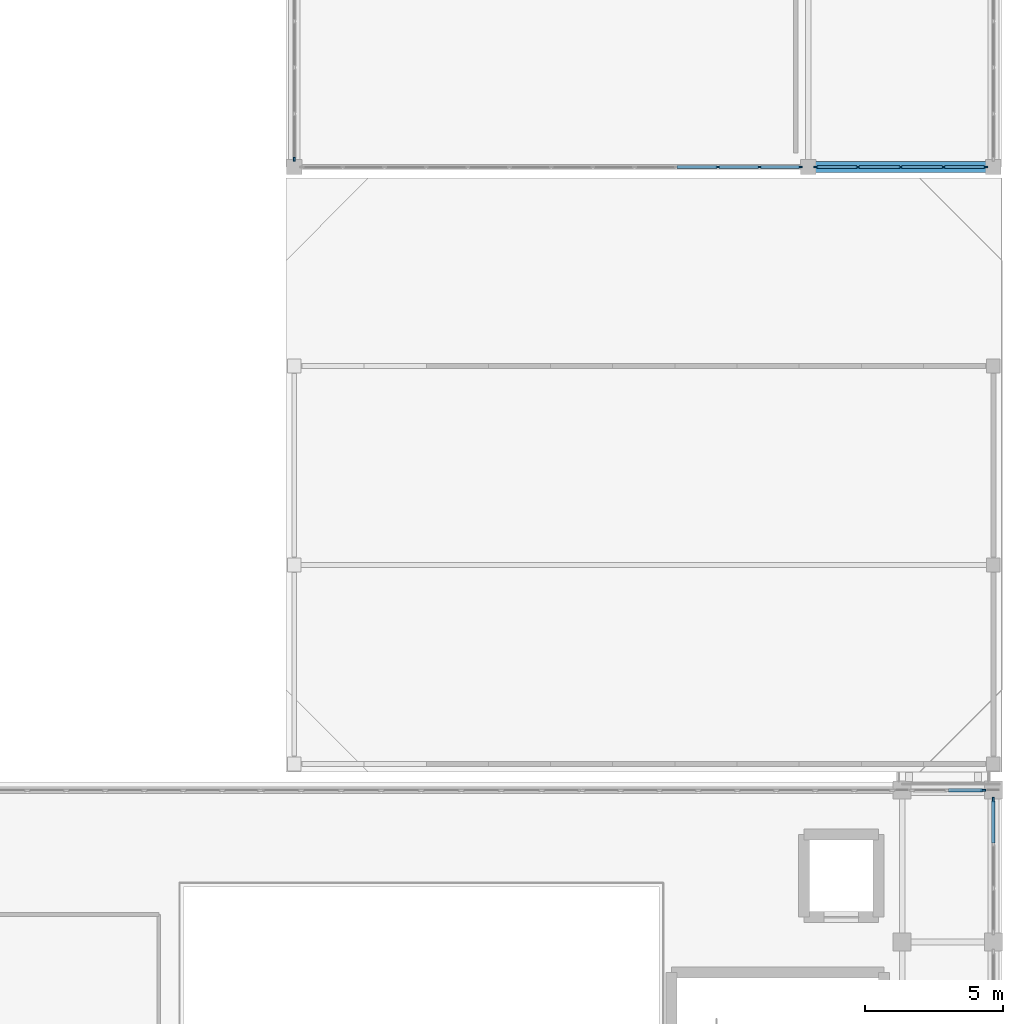
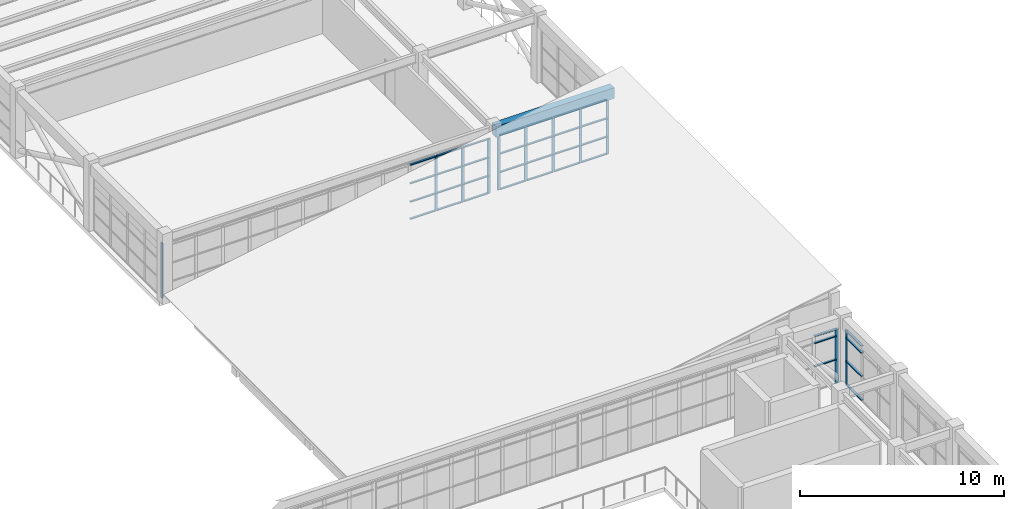
# One storey, part 28 of 66: 46 members, 1 beam, 5 elements without a shape of their own.
"""IFC4 building model written with IfcOpenShell, lengths in metres."""

import ifcopenshell
import ifcopenshell.guid

model = None  # the IFC model being written
_history = None  # IfcOwnerHistory: only IFC2X3 demands one
_inside = {}  # id of a spatial element -> (the spatial element, [elements in it])
_under = {}  # id of a project, library or spatial element -> (it, [spatial elements below it])
_declared = {}  # id of a project -> (the project, [libraries it declares])
_typed = {}  # id of a type object -> (the type object, [elements of that type])
_made_of = {}  # id of a material, layer set ... -> (it, [elements and type objects made of it])


def new_model(schema):
    """Start an empty IFC model of exactly this schema.

    Asked for "IFC4X3", IfcOpenShell would pick the latest addendum, in which some entities
    have other attributes; the version numbers below select the first issue.
    IFC2X3 requires an IfcOwnerHistory on every rooted entity: one is made here for all.
    """
    global model, _history
    if schema == "IFC4X3":
        model = ifcopenshell.file(schema_version=(4, 3, 0, 0))
    else:
        model = ifcopenshell.file(schema=schema)
    _inside.clear()
    _under.clear()
    _declared.clear()
    _typed.clear()
    _made_of.clear()
    _history = None
    if model.schema == "IFC2X3":
        org = make("IfcOrganization", Name="unknown")
        user = make(
            "IfcPersonAndOrganization",
            ThePerson=make("IfcPerson", FamilyName="unknown"),
            TheOrganization=org,
        )
        app = make(
            "IfcApplication",
            ApplicationDeveloper=org,
            Version="unknown",
            ApplicationFullName="unknown",
            ApplicationIdentifier="unknown",
        )
        _history = make(
            "IfcOwnerHistory",
            OwningUser=user,
            OwningApplication=app,
            ChangeAction="ADDED",
            CreationDate=0,
        )
    return model


def make(cls, **values):
    """One entity of the class cls with the attributes given. An attribute that is None is left unset."""
    return model.create_entity(
        cls, **{name: value for name, value in values.items() if value is not None}
    )


def rooted(cls, **values):
    """An entity with a GlobalId (a new one), such as an element, a storey or a relation."""
    return make(cls, GlobalId=ifcopenshell.guid.new(), OwnerHistory=_history, **values)


def si_unit(unit_type, name, prefix=None):
    """IfcSIUnit, for example si_unit("LENGTHUNIT", "METRE", prefix="MILLI")."""
    return make("IfcSIUnit", UnitType=unit_type, Prefix=prefix, Name=name)


def assignment(units):
    """IfcUnitAssignment: the units of a project."""
    return None if units is None else make("IfcUnitAssignment", Units=units)


def point(xyz):
    """IfcCartesianPoint."""
    return None if xyz is None else make("IfcCartesianPoint", Coordinates=xyz)


def direction(xyz):
    """IfcDirection."""
    return None if xyz is None else make("IfcDirection", DirectionRatios=xyz)


def frame(location, z_axis=None, x_axis=None):
    """IfcAxis2Placement3D, a coordinate frame: its origin and axes. An axis left out is left unset."""
    return make(
        "IfcAxis2Placement3D",
        Location=point(location),
        Axis=direction(z_axis),
        RefDirection=direction(x_axis),
    )


def frame_2d(location, x_axis=None):
    """IfcAxis2Placement2D, a coordinate frame in the plane: its origin and x axis."""
    return make(
        "IfcAxis2Placement2D", Location=point(location), RefDirection=direction(x_axis)
    )


def origin():
    """The frame at (0, 0, 0) with its axes left unset."""
    return frame((0.0, 0.0, 0.0))


def origin_2d():
    """The frame at (0, 0) in the plane with its x axis left unset."""
    return frame_2d((0.0, 0.0))


def place(relative_to, where):
    """IfcLocalPlacement: puts the frame where relative to a parent placement (None: the world)."""
    return make(
        "IfcLocalPlacement", PlacementRelTo=relative_to, RelativePlacement=where
    )


def context(
    kind, dimensions, precision=None, world=None, true_north=None, identifier=None
):
    """IfcGeometricRepresentationContext, for example the 3D "Model" context."""
    return make(
        "IfcGeometricRepresentationContext",
        ContextIdentifier=identifier,
        ContextType=kind,
        CoordinateSpaceDimension=dimensions,
        Precision=precision,
        WorldCoordinateSystem=world,
        TrueNorth=true_north,
    )


def subcontext(parent, identifier, kind, view, scale=None):
    """IfcGeometricRepresentationSubContext, for example "Body" below "Model"."""
    return make(
        "IfcGeometricRepresentationSubContext",
        ContextIdentifier=identifier,
        ContextType=kind,
        ParentContext=parent,
        TargetScale=scale,
        TargetView=view,
    )


def project(units=None, contexts=None):
    """IfcProject with its units and contexts."""
    return rooted(
        "IfcProject",
        Name="project",
        RepresentationContexts=contexts,
        UnitsInContext=assignment(units),
    )


def spatial(cls, under=None, at=None, **own):
    """A site, building, storey or space (cls), placed at a placement, below another one or the project."""
    s = rooted(cls, ObjectPlacement=at, **own)
    if under is not None:
        _under.setdefault(under.id(), (under, []))[1].append(s)
    return s


def profile(cls, at=None, kind="AREA", **sizes):
    """A parametric profile (cls). Its sizes go by their IFC names, for example OverallWidth=200.0."""
    return make(cls, ProfileType=kind, Position=at, **sizes)


def rectangle(**sizes):
    """IfcRectangleProfileDef."""
    return profile("IfcRectangleProfileDef", **sizes)


def extrude(swept, where, along, depth):
    """IfcExtrudedAreaSolid: the profile swept, set in the frame where, extruded along a direction by depth."""
    return make(
        "IfcExtrudedAreaSolid",
        SweptArea=swept,
        Position=where,
        ExtrudedDirection=direction(along),
        Depth=depth,
    )


def shape(context_of_items, identifier, shape_type, items):
    """IfcShapeRepresentation: the items that make up one representation, for example the "Body"."""
    return make(
        "IfcShapeRepresentation",
        ContextOfItems=context_of_items,
        RepresentationIdentifier=identifier,
        RepresentationType=shape_type,
        Items=items,
    )


def material(Name=None, Category=None):
    """IfcMaterial."""
    return make("IfcMaterial", Name=Name, Category=Category)


def layer(
    of_material, thickness, ventilated=None, Name=None, Category=None, Priority=None
):
    """IfcMaterialLayer: one layer of a wall or slab, of a material (None: an air gap)."""
    return make(
        "IfcMaterialLayer",
        Material=of_material,
        LayerThickness=thickness,
        IsVentilated=ventilated,
        Name=Name,
        Category=Category,
        Priority=Priority,
    )


def layer_set(layers, Name=None):
    """IfcMaterialLayerSet."""
    return make("IfcMaterialLayerSet", MaterialLayers=layers, LayerSetName=Name)


def material_profile(
    of_material, cross_section, Name=None, Category=None, Priority=None
):
    """IfcMaterialProfile: a cross section and its material."""
    return make(
        "IfcMaterialProfile",
        Name=Name,
        Material=of_material,
        Profile=cross_section,
        Priority=Priority,
        Category=Category,
    )


def profile_set(profiles, Name=None, composite=None):
    """IfcMaterialProfileSet."""
    return make(
        "IfcMaterialProfileSet",
        Name=Name,
        MaterialProfiles=profiles,
        CompositeProfile=composite,
    )


def made_of(thing, what):
    """Note that an element or type object is made of a material, layer set ...; save() writes the relation."""
    if what is not None:
        _made_of.setdefault(what.id(), (what, []))[1].append(thing)
    return thing


def type_object(cls, material=None, **own):
    """A type object (cls), such as IfcWallType, which elements share."""
    return made_of(rooted(cls, **own), material)


def element(
    cls,
    number,
    at=None,
    inside=None,
    cuts=None,
    type_object=None,
    material=None,
    context=None,
    identifier="Body",
    shape_type=None,
    held_by="IfcProductDefinitionShape",
    body=None,
    shapes=None,
    **own,
):
    """One element of the class cls, such as IfcWall. Its Tag is "e" and its number.

    at: its placement. inside: the storey or other place that contains it. cuts: it is an
    opening in that element (IfcRelVoidsElement). A single representation is given by context,
    identifier, shape_type and body (its items); several are given by shapes. held_by: the class
    of the entity that holds the representations. save() writes the other relations.
    """
    e = rooted(cls, Tag="e%d" % number, ObjectPlacement=at, **own)
    if body is not None:
        shapes = [shape(context, identifier, shape_type, body)]
    if shapes is not None:
        e.Representation = make(held_by, Representations=shapes)
    if inside is not None:
        _inside.setdefault(inside.id(), (inside, []))[1].append(e)
    if cuts is not None:
        rooted(
            "IfcRelVoidsElement", RelatingBuildingElement=cuts, RelatedOpeningElement=e
        )
    if type_object is not None:
        _typed.setdefault(type_object.id(), (type_object, []))[1].append(e)
    return made_of(e, material)


def aggregate(whole, parts):
    """IfcRelAggregates: a whole, such as a stair, and the parts it consists of."""
    return rooted("IfcRelAggregates", RelatingObject=whole, RelatedObjects=parts)


def save(model, path):
    """Write the relations noted so far, then the file.

    IfcRelAggregates (storeys below a building ...), IfcRelContainedInSpatialStructure (elements
    in a storey), IfcRelDefinesByType, IfcRelAssociatesMaterial and IfcRelDeclares: one each for
    every whole, place, type object, material and project.
    """
    for whole, parts in _under.values():
        aggregate(whole, parts)
    for where, things in _inside.values():
        rooted(
            "IfcRelContainedInSpatialStructure",
            RelatedElements=things,
            RelatingStructure=where,
        )
    for kind, things in _typed.values():
        rooted("IfcRelDefinesByType", RelatedObjects=things, RelatingType=kind)
    for what, things in _made_of.values():
        rooted("IfcRelAssociatesMaterial", RelatedObjects=things, RelatingMaterial=what)
    for by, libraries in _declared.values():
        rooted("IfcRelDeclares", RelatingContext=by, RelatedDefinitions=libraries)
    model.write(path)


model = new_model("IFC4")

# Units and contexts
model_context = context("Model", 3, precision=1e-05, world=origin(), true_north=direction((0.0, 1.0)))
body_context = subcontext(model_context, "Body", "Model", "MODEL_VIEW")
ifc_project = project(units=[si_unit("LENGTHUNIT", "METRE"), si_unit("AREAUNIT", "SQUARE_METRE"), si_unit("VOLUMEUNIT", "CUBIC_METRE"), si_unit("PLANEANGLEUNIT", "RADIAN"), si_unit("MASSUNIT", "GRAM", prefix="KILO")], contexts=[model_context])

# Site, building, storey
site_placement = place(None, origin())
site = spatial("IfcSite", under=ifc_project, at=site_placement, CompositionType="ELEMENT")
building_placement = place(site_placement, origin())
building = spatial("IfcBuilding", under=site, at=building_placement, Name="Candilejo Ridge Gondola Terminal", CompositionType="ELEMENT")
storey_placement = place(building_placement, frame((0.0, 0.0, 14.39990234375)))
storey = spatial("IfcBuildingStorey", under=building, at=storey_placement, Name="L03", CompositionType="ELEMENT", Elevation=14.39990234375)

# Curtain wall, member
ifc_material_1 = material(Name="Anodised aluminium AA 6063-T6", Category="aluminium")
ifc_layer_1 = layer(ifc_material_1, 0.169921875)
ifc_layer_set_1 = layer_set([ifc_layer_1], Name="ARC-CW-TOWER-3000-670X329")
curtain_wall_type_1 = type_object("IfcCurtainWallType", Name="ARC-CW-TOWER-3000-670X329", PredefinedType="NOTDEFINED", material=ifc_layer_set_1)
curtain_wall_1_placement = place(storey_placement, origin())
curtain_wall_1 = element("IfcCurtainWall", 1, at=curtain_wall_1_placement, inside=storey, type_object=curtain_wall_type_1, Name="Curtain wall V5 L03-196", PredefinedType="NOTDEFINED")
ifc_material_2 = material(Name="Anodised aluminium AA 6063-T6", Category="aluminium")
ifc_material_profile_1 = material_profile(ifc_material_2, rectangle(XDim=0.06494140625, YDim=0.14990234375, at=origin_2d()))
ifc_profile_set_1 = profile_set([ifc_material_profile_1], Name="Anodised aluminium AA 6063-T6")
member_type_1 = type_object("IfcMemberType", Name="ARC-CW-MULLION-150", PredefinedType="MULLION", material=ifc_profile_set_1)
member_1_placement = place(storey_placement, frame((150.0, 70.532470703125, 0.0), z_axis=(0.0, 0.0, 1.0), x_axis=(-1.0, 0.0, 0.0)))
member_1 = element("IfcMember", 2, at=member_1_placement, type_object=member_type_1, Name="CW-67X32 mullion 1", PredefinedType="MULLION", context=body_context, shape_type="SweptSolid", body=[
    extrude(rectangle(XDim=0.06494140625, YDim=0.14990234375, at=origin_2d()), origin(), (0.0, 0.0, 1.0), 3.2900390625),
])
aggregate(curtain_wall_1, [member_1])

# Curtain wall, members
ifc_material_3 = material(Name="Anodised aluminium AA 6063-T6", Category="aluminium")
ifc_layer_2 = layer(ifc_material_3, 0.169921875)
ifc_layer_set_2 = layer_set([ifc_layer_2], Name="ARC-CW-TOWER-3000-1810X329")
curtain_wall_type_2 = type_object("IfcCurtainWallType", Name="ARC-CW-TOWER-3000-1810X329", PredefinedType="NOTDEFINED", material=ifc_layer_set_2)
curtain_wall_2_placement = place(storey_placement, origin())
curtain_wall_2 = element("IfcCurtainWall", 3, at=curtain_wall_2_placement, inside=storey, type_object=curtain_wall_type_2, Name="Curtain wall V5 L03-208", PredefinedType="NOTDEFINED")
member_2_placement = place(storey_placement, frame((165.333251953125, 70.25, 0.0), z_axis=(0.0, 0.0, 1.0), x_axis=(0.0, 1.0, 0.0)))
member_2 = element("IfcMember", 4, at=member_2_placement, type_object=member_type_1, Name="CW-181X32 mullion 11", PredefinedType="MULLION", context=body_context, shape_type="SweptSolid", body=[
    extrude(rectangle(XDim=0.06494140625, YDim=0.14990234375, at=origin_2d()), origin(), (0.0, 0.0, 1.0), 3.2900390625),
])
member_3_placement = place(storey_placement, frame((166.841552734375, 70.25, 0.0), z_axis=(0.0, 0.0, 1.0), x_axis=(0.0, 1.0, 0.0)))
member_3 = element("IfcMember", 5, at=member_3_placement, type_object=member_type_1, Name="CW-181X32 mullion 12", PredefinedType="MULLION", context=body_context, shape_type="SweptSolid", body=[
    extrude(rectangle(XDim=0.06494140625, YDim=0.14990234375, at=origin_2d()), origin(), (0.0, 0.0, 1.0), 3.2900390625),
])
member_4_placement = place(storey_placement, frame((168.3173828125, 70.25, 0.0), z_axis=(0.0, 0.0, 1.0), x_axis=(0.0, 1.0, 0.0)))
member_4 = element("IfcMember", 6, at=member_4_placement, type_object=member_type_1, Name="CW-181X32 mullion 13", PredefinedType="MULLION", context=body_context, shape_type="SweptSolid", body=[
    extrude(rectangle(XDim=0.06494140625, YDim=0.14990234375, at=origin_2d()), origin(), (0.0, 0.0, 1.0), 3.2900390625),
])

ifc_material_4 = material(Name="Anodised aluminium AA 6063-T6", Category="aluminium")
ifc_layer_3 = layer(ifc_material_4, 0.169921875)
ifc_layer_set_3 = layer_set([ifc_layer_3], Name="ARC-CW-TOWER-3000-620X329")
curtain_wall_type_3 = type_object("IfcCurtainWallType", Name="ARC-CW-TOWER-3000-620X329", PredefinedType="NOTDEFINED", material=ifc_layer_set_3)
curtain_wall_3_placement = place(storey_placement, origin())
curtain_wall_3 = element("IfcCurtainWall", 7, at=curtain_wall_3_placement, inside=storey, type_object=curtain_wall_type_3, Name="Curtain wall V5 L03-210", PredefinedType="NOTDEFINED")
member_5_placement = place(storey_placement, frame((168.882568359375, 70.25, 0.0), z_axis=(0.0, 0.0, 1.0), x_axis=(0.0, 1.0, 0.0)))
member_5 = element("IfcMember", 8, at=member_5_placement, type_object=member_type_1, Name="CW-62X32 mullion 1", PredefinedType="MULLION", context=body_context, shape_type="SweptSolid", body=[
    extrude(rectangle(XDim=0.06494140625, YDim=0.14990234375, at=origin_2d()), origin(), (0.0, 0.0, 1.0), 3.2900390625),
])
member_6_placement = place(storey_placement, frame((170.39990234375, 70.25, 0.0), z_axis=(0.0, 0.0, 1.0), x_axis=(0.0, 1.0, 0.0)))
member_6 = element("IfcMember", 9, at=member_6_placement, type_object=member_type_1, Name="CW-62X32 mullion 2", PredefinedType="MULLION", context=body_context, shape_type="SweptSolid", body=[
    extrude(rectangle(XDim=0.06494140625, YDim=0.14990234375, at=origin_2d()), origin(), (0.0, 0.0, 1.0), 3.2900390625),
])
member_7_placement = place(storey_placement, frame((171.949951171875, 70.25, 0.0), z_axis=(0.0, 0.0, 1.0), x_axis=(0.0, 1.0, 0.0)))
member_7 = element("IfcMember", 10, at=member_7_placement, type_object=member_type_1, Name="CW-62X32 mullion 3", PredefinedType="MULLION", context=body_context, shape_type="SweptSolid", body=[
    extrude(rectangle(XDim=0.06494140625, YDim=0.14990234375, at=origin_2d()), origin(), (0.0, 0.0, 1.0), 3.2900390625),
])
member_8_placement = place(storey_placement, frame((173.5, 70.25, 0.0), z_axis=(0.0, 0.0, 1.0), x_axis=(0.0, 1.0, 0.0)))
member_8 = element("IfcMember", 11, at=member_8_placement, type_object=member_type_1, Name="CW-62X32 mullion 4", PredefinedType="MULLION", context=body_context, shape_type="SweptSolid", body=[
    extrude(rectangle(XDim=0.06494140625, YDim=0.14990234375, at=origin_2d()), origin(), (0.0, 0.0, 1.0), 3.2900390625),
])
member_9_placement = place(storey_placement, frame((175.017578125, 70.25, 0.0), z_axis=(0.0, 0.0, 1.0), x_axis=(0.0, 1.0, 0.0)))
member_9 = element("IfcMember", 12, at=member_9_placement, type_object=member_type_1, Name="CW-62X32 mullion 5", PredefinedType="MULLION", context=body_context, shape_type="SweptSolid", body=[
    extrude(rectangle(XDim=0.06494140625, YDim=0.14990234375, at=origin_2d()), origin(), (0.0, 0.0, 1.0), 3.2900390625),
])

# Curtain wall, member
ifc_material_5 = material(Name="Anodised aluminium AA 6063-T6", Category="aluminium")
ifc_layer_4 = layer(ifc_material_5, 0.169921875)
ifc_layer_set_4 = layer_set([ifc_layer_4], Name="ARC-CW-HALL-3800-485X329")
curtain_wall_type_4 = type_object("IfcCurtainWallType", Name="ARC-CW-HALL-3800-485X329", PredefinedType="NOTDEFINED", material=ifc_layer_set_4)
curtain_wall_4_placement = place(storey_placement, origin())
curtain_wall_4 = element("IfcCurtainWall", 13, at=curtain_wall_4_placement, inside=storey, type_object=curtain_wall_type_4, Name="Curtain wall V4 L03-163", PredefinedType="NOTDEFINED")
ifc_material_6 = material(Name="Anodised aluminium AA 6063-T6", Category="aluminium")
ifc_material_profile_2 = material_profile(ifc_material_6, rectangle(XDim=0.06494140625, YDim=0.179931640625, at=origin_2d()))
ifc_profile_set_2 = profile_set([ifc_material_profile_2], Name="Anodised aluminium AA 6063-T6")
member_type_2 = type_object("IfcMemberType", Name="ARC-CW-MULLION-180", PredefinedType="MULLION", material=ifc_profile_set_2)
member_10_placement = place(storey_placement, frame((175.300048828125, 47.342529296875, 0.0), z_axis=(0.0, 0.0, 1.0), x_axis=(-1.0, 0.0, 0.0)))
member_10 = element("IfcMember", 14, at=member_10_placement, type_object=member_type_2, Name="CW-48X32 mullion 4", PredefinedType="MULLION", context=body_context, shape_type="SweptSolid", body=[
    extrude(rectangle(XDim=0.06494140625, YDim=0.179931640625, at=origin_2d()), origin(), (0.0, 0.0, 1.0), 3.2900390625),
])

ifc_material_7 = material(Name="Anodised aluminium AA 6063-T6", Category="aluminium")
ifc_layer_5 = layer(ifc_material_7, 0.169921875)
ifc_layer_set_5 = layer_set([ifc_layer_5], Name="ARC-CW-HALL-3800-265X329")
curtain_wall_type_5 = type_object("IfcCurtainWallType", Name="ARC-CW-HALL-3800-265X329", PredefinedType="NOTDEFINED", material=ifc_layer_set_5)
curtain_wall_5_placement = place(storey_placement, origin())
curtain_wall_5 = element("IfcCurtainWall", 15, at=curtain_wall_5_placement, inside=storey, type_object=curtain_wall_type_5, Name="Curtain wall V4 L03-170", PredefinedType="NOTDEFINED")
member_11_placement = place(storey_placement, frame((174.9423828125, 47.699951171875, 0.0), z_axis=(0.0, 0.0, 1.0), x_axis=(0.0, 1.0, 0.0)))
member_11 = element("IfcMember", 16, at=member_11_placement, type_object=member_type_2, Name="CW-26X32 mullion 3", PredefinedType="MULLION", context=body_context, shape_type="SweptSolid", body=[
    extrude(rectangle(XDim=0.06494140625, YDim=0.179931640625, at=origin_2d()), origin(), (0.0, 0.0, 1.0), 3.2900390625),
])

# Member
ifc_material_8 = material(Name="Anodised aluminium AA 6063-T6", Category="aluminium")
ifc_material_profile_3 = material_profile(ifc_material_8, rectangle(XDim=0.110107421875, YDim=0.06005859375, at=origin_2d()))
ifc_profile_set_3 = profile_set([ifc_material_profile_3], Name="Anodised aluminium AA 6063-T6")
member_type_3 = type_object("IfcMemberType", Name="ARC-CW-TRANSOM-110", PredefinedType="USERDEFINED", material=ifc_profile_set_3)
member_12_placement = place(storey_placement, frame((163.857421875, 70.25, 0.030029296875), z_axis=(1.0, 0.0, 0.0), x_axis=(0.0, 1.0, 0.0)))
member_12 = element("IfcMember", 17, at=member_12_placement, type_object=member_type_3, Name="CW-181X32 transom 10.1", ObjectType="TRANSOM", PredefinedType="USERDEFINED", context=body_context, shape_type="SweptSolid", body=[
    extrude(rectangle(XDim=0.110107421875, YDim=0.06005859375, at=origin_2d()), origin(), (0.0, 0.0, 1.0), 1.443359375),
])

member_13_placement = place(storey_placement, frame((163.857421875, 70.25, 1.050048828125), z_axis=(1.0, 0.0, 0.0), x_axis=(0.0, 1.0, 0.0)))
member_13 = element("IfcMember", 18, at=member_13_placement, type_object=member_type_3, Name="CW-181X32 transom 10.2", ObjectType="TRANSOM", PredefinedType="USERDEFINED", context=body_context, shape_type="SweptSolid", body=[
    extrude(rectangle(XDim=0.110107421875, YDim=0.06005859375, at=origin_2d()), origin(), (0.0, 0.0, 1.0), 1.443359375),
])

member_14_placement = place(storey_placement, frame((163.857421875, 70.25, 2.150146484375), z_axis=(1.0, 0.0, 0.0), x_axis=(0.0, 1.0, 0.0)))
member_14 = element("IfcMember", 19, at=member_14_placement, type_object=member_type_3, Name="CW-181X32 transom 10.3", ObjectType="TRANSOM", PredefinedType="USERDEFINED", context=body_context, shape_type="SweptSolid", body=[
    extrude(rectangle(XDim=0.110107421875, YDim=0.06005859375, at=origin_2d()), origin(), (0.0, 0.0, 1.0), 1.443359375),
])

member_15_placement = place(storey_placement, frame((163.857421875, 70.25, 3.260009765625), z_axis=(1.0, 0.0, 0.0), x_axis=(0.0, 1.0, 0.0)))
member_15 = element("IfcMember", 20, at=member_15_placement, type_object=member_type_3, Name="CW-181X32 transom 10.4", ObjectType="TRANSOM", PredefinedType="USERDEFINED", context=body_context, shape_type="SweptSolid", body=[
    extrude(rectangle(XDim=0.110107421875, YDim=0.06005859375, at=origin_2d()), origin(), (0.0, 0.0, 1.0), 1.443359375),
])

member_16_placement = place(storey_placement, frame((165.36572265625, 70.25, 0.030029296875), z_axis=(1.0, 0.0, 0.0), x_axis=(0.0, 1.0, 0.0)))
member_16 = element("IfcMember", 21, at=member_16_placement, type_object=member_type_3, Name="CW-181X32 transom 11.1", ObjectType="TRANSOM", PredefinedType="USERDEFINED", context=body_context, shape_type="SweptSolid", body=[
    extrude(rectangle(XDim=0.110107421875, YDim=0.06005859375, at=origin_2d()), origin(), (0.0, 0.0, 1.0), 1.443359375),
])

member_17_placement = place(storey_placement, frame((165.36572265625, 70.25, 1.050048828125), z_axis=(1.0, 0.0, 0.0), x_axis=(0.0, 1.0, 0.0)))
member_17 = element("IfcMember", 22, at=member_17_placement, type_object=member_type_3, Name="CW-181X32 transom 11.2", ObjectType="TRANSOM", PredefinedType="USERDEFINED", context=body_context, shape_type="SweptSolid", body=[
    extrude(rectangle(XDim=0.110107421875, YDim=0.06005859375, at=origin_2d()), origin(), (0.0, 0.0, 1.0), 1.443359375),
])

member_18_placement = place(storey_placement, frame((165.36572265625, 70.25, 2.150146484375), z_axis=(1.0, 0.0, 0.0), x_axis=(0.0, 1.0, 0.0)))
member_18 = element("IfcMember", 23, at=member_18_placement, type_object=member_type_3, Name="CW-181X32 transom 11.3", ObjectType="TRANSOM", PredefinedType="USERDEFINED", context=body_context, shape_type="SweptSolid", body=[
    extrude(rectangle(XDim=0.110107421875, YDim=0.06005859375, at=origin_2d()), origin(), (0.0, 0.0, 1.0), 1.443359375),
])

member_19_placement = place(storey_placement, frame((165.36572265625, 70.25, 3.260009765625), z_axis=(1.0, 0.0, 0.0), x_axis=(0.0, 1.0, 0.0)))
member_19 = element("IfcMember", 24, at=member_19_placement, type_object=member_type_3, Name="CW-181X32 transom 11.4", ObjectType="TRANSOM", PredefinedType="USERDEFINED", context=body_context, shape_type="SweptSolid", body=[
    extrude(rectangle(XDim=0.110107421875, YDim=0.06005859375, at=origin_2d()), origin(), (0.0, 0.0, 1.0), 1.443359375),
])

member_20_placement = place(storey_placement, frame((166.874267578125, 70.25, 0.030029296875), z_axis=(1.0, 0.0, 0.0), x_axis=(0.0, 1.0, 0.0)))
member_20 = element("IfcMember", 25, at=member_20_placement, type_object=member_type_3, Name="CW-181X32 transom 12.1", ObjectType="TRANSOM", PredefinedType="USERDEFINED", context=body_context, shape_type="SweptSolid", body=[
    extrude(rectangle(XDim=0.110107421875, YDim=0.06005859375, at=origin_2d()), origin(), (0.0, 0.0, 1.0), 1.41064453125),
])

member_21_placement = place(storey_placement, frame((166.874267578125, 70.25, 1.050048828125), z_axis=(1.0, 0.0, 0.0), x_axis=(0.0, 1.0, 0.0)))
member_21 = element("IfcMember", 26, at=member_21_placement, type_object=member_type_3, Name="CW-181X32 transom 12.2", ObjectType="TRANSOM", PredefinedType="USERDEFINED", context=body_context, shape_type="SweptSolid", body=[
    extrude(rectangle(XDim=0.110107421875, YDim=0.06005859375, at=origin_2d()), origin(), (0.0, 0.0, 1.0), 1.41064453125),
])

member_22_placement = place(storey_placement, frame((166.874267578125, 70.25, 2.150146484375), z_axis=(1.0, 0.0, 0.0), x_axis=(0.0, 1.0, 0.0)))
member_22 = element("IfcMember", 27, at=member_22_placement, type_object=member_type_3, Name="CW-181X32 transom 12.3", ObjectType="TRANSOM", PredefinedType="USERDEFINED", context=body_context, shape_type="SweptSolid", body=[
    extrude(rectangle(XDim=0.110107421875, YDim=0.06005859375, at=origin_2d()), origin(), (0.0, 0.0, 1.0), 1.41064453125),
])

member_23_placement = place(storey_placement, frame((166.874267578125, 70.25, 3.260009765625), z_axis=(1.0, 0.0, 0.0), x_axis=(0.0, 1.0, 0.0)))
member_23 = element("IfcMember", 28, at=member_23_placement, type_object=member_type_3, Name="CW-181X32 transom 12.4", ObjectType="TRANSOM", PredefinedType="USERDEFINED", context=body_context, shape_type="SweptSolid", body=[
    extrude(rectangle(XDim=0.110107421875, YDim=0.06005859375, at=origin_2d()), origin(), (0.0, 0.0, 1.0), 1.41064453125),
])

aggregate(curtain_wall_2, [member_2, member_3, member_4, member_12, member_13, member_14, member_15, member_16, member_17, member_18, member_19, member_20, member_21, member_22, member_23])

member_24_placement = place(storey_placement, frame((168.9150390625, 70.25, 0.030029296875), z_axis=(1.0, 0.0, 0.0), x_axis=(0.0, 1.0, 0.0)))
member_24 = element("IfcMember", 29, at=member_24_placement, type_object=member_type_3, Name="CW-62X32 transom 1.1", ObjectType="TRANSOM", PredefinedType="USERDEFINED", context=body_context, shape_type="SweptSolid", body=[
    extrude(rectangle(XDim=0.110107421875, YDim=0.06005859375, at=origin_2d()), origin(), (0.0, 0.0, 1.0), 1.452392578125),
])

member_25_placement = place(storey_placement, frame((168.9150390625, 70.25, 1.050048828125), z_axis=(1.0, 0.0, 0.0), x_axis=(0.0, 1.0, 0.0)))
member_25 = element("IfcMember", 30, at=member_25_placement, type_object=member_type_3, Name="CW-62X32 transom 1.2", ObjectType="TRANSOM", PredefinedType="USERDEFINED", context=body_context, shape_type="SweptSolid", body=[
    extrude(rectangle(XDim=0.110107421875, YDim=0.06005859375, at=origin_2d()), origin(), (0.0, 0.0, 1.0), 1.452392578125),
])

member_26_placement = place(storey_placement, frame((168.9150390625, 70.25, 2.150146484375), z_axis=(1.0, 0.0, 0.0), x_axis=(0.0, 1.0, 0.0)))
member_26 = element("IfcMember", 31, at=member_26_placement, type_object=member_type_3, Name="CW-62X32 transom 1.3", ObjectType="TRANSOM", PredefinedType="USERDEFINED", context=body_context, shape_type="SweptSolid", body=[
    extrude(rectangle(XDim=0.110107421875, YDim=0.06005859375, at=origin_2d()), origin(), (0.0, 0.0, 1.0), 1.452392578125),
])

member_27_placement = place(storey_placement, frame((168.9150390625, 70.25, 3.260009765625), z_axis=(1.0, 0.0, 0.0), x_axis=(0.0, 1.0, 0.0)))
member_27 = element("IfcMember", 32, at=member_27_placement, type_object=member_type_3, Name="CW-62X32 transom 1.4", ObjectType="TRANSOM", PredefinedType="USERDEFINED", context=body_context, shape_type="SweptSolid", body=[
    extrude(rectangle(XDim=0.110107421875, YDim=0.06005859375, at=origin_2d()), origin(), (0.0, 0.0, 1.0), 1.452392578125),
])

member_28_placement = place(storey_placement, frame((170.4326171875, 70.25, 0.030029296875), z_axis=(1.0, 0.0, 0.0), x_axis=(0.0, 1.0, 0.0)))
member_28 = element("IfcMember", 33, at=member_28_placement, type_object=member_type_3, Name="CW-62X32 transom 2.1", ObjectType="TRANSOM", PredefinedType="USERDEFINED", context=body_context, shape_type="SweptSolid", body=[
    extrude(rectangle(XDim=0.110107421875, YDim=0.06005859375, at=origin_2d()), origin(), (0.0, 0.0, 1.0), 1.48486328125),
])

member_29_placement = place(storey_placement, frame((170.4326171875, 70.25, 1.050048828125), z_axis=(1.0, 0.0, 0.0), x_axis=(0.0, 1.0, 0.0)))
member_29 = element("IfcMember", 34, at=member_29_placement, type_object=member_type_3, Name="CW-62X32 transom 2.2", ObjectType="TRANSOM", PredefinedType="USERDEFINED", context=body_context, shape_type="SweptSolid", body=[
    extrude(rectangle(XDim=0.110107421875, YDim=0.06005859375, at=origin_2d()), origin(), (0.0, 0.0, 1.0), 1.48486328125),
])

member_30_placement = place(storey_placement, frame((170.4326171875, 70.25, 2.150146484375), z_axis=(1.0, 0.0, 0.0), x_axis=(0.0, 1.0, 0.0)))
member_30 = element("IfcMember", 35, at=member_30_placement, type_object=member_type_3, Name="CW-62X32 transom 2.3", ObjectType="TRANSOM", PredefinedType="USERDEFINED", context=body_context, shape_type="SweptSolid", body=[
    extrude(rectangle(XDim=0.110107421875, YDim=0.06005859375, at=origin_2d()), origin(), (0.0, 0.0, 1.0), 1.48486328125),
])

member_31_placement = place(storey_placement, frame((170.4326171875, 70.25, 3.260009765625), z_axis=(1.0, 0.0, 0.0), x_axis=(0.0, 1.0, 0.0)))
member_31 = element("IfcMember", 36, at=member_31_placement, type_object=member_type_3, Name="CW-62X32 transom 2.4", ObjectType="TRANSOM", PredefinedType="USERDEFINED", context=body_context, shape_type="SweptSolid", body=[
    extrude(rectangle(XDim=0.110107421875, YDim=0.06005859375, at=origin_2d()), origin(), (0.0, 0.0, 1.0), 1.48486328125),
])

member_32_placement = place(storey_placement, frame((171.982421875, 70.25, 0.030029296875), z_axis=(1.0, 0.0, 0.0), x_axis=(0.0, 1.0, 0.0)))
member_32 = element("IfcMember", 37, at=member_32_placement, type_object=member_type_3, Name="CW-62X32 transom 3.1", ObjectType="TRANSOM", PredefinedType="USERDEFINED", context=body_context, shape_type="SweptSolid", body=[
    extrude(rectangle(XDim=0.110107421875, YDim=0.06005859375, at=origin_2d()), origin(), (0.0, 0.0, 1.0), 1.485107421875),
])

member_33_placement = place(storey_placement, frame((171.982421875, 70.25, 1.050048828125), z_axis=(1.0, 0.0, 0.0), x_axis=(0.0, 1.0, 0.0)))
member_33 = element("IfcMember", 38, at=member_33_placement, type_object=member_type_3, Name="CW-62X32 transom 3.2", ObjectType="TRANSOM", PredefinedType="USERDEFINED", context=body_context, shape_type="SweptSolid", body=[
    extrude(rectangle(XDim=0.110107421875, YDim=0.06005859375, at=origin_2d()), origin(), (0.0, 0.0, 1.0), 1.485107421875),
])

member_34_placement = place(storey_placement, frame((171.982421875, 70.25, 2.150146484375), z_axis=(1.0, 0.0, 0.0), x_axis=(0.0, 1.0, 0.0)))
member_34 = element("IfcMember", 39, at=member_34_placement, type_object=member_type_3, Name="CW-62X32 transom 3.3", ObjectType="TRANSOM", PredefinedType="USERDEFINED", context=body_context, shape_type="SweptSolid", body=[
    extrude(rectangle(XDim=0.110107421875, YDim=0.06005859375, at=origin_2d()), origin(), (0.0, 0.0, 1.0), 1.485107421875),
])

member_35_placement = place(storey_placement, frame((171.982421875, 70.25, 3.260009765625), z_axis=(1.0, 0.0, 0.0), x_axis=(0.0, 1.0, 0.0)))
member_35 = element("IfcMember", 40, at=member_35_placement, type_object=member_type_3, Name="CW-62X32 transom 3.4", ObjectType="TRANSOM", PredefinedType="USERDEFINED", context=body_context, shape_type="SweptSolid", body=[
    extrude(rectangle(XDim=0.110107421875, YDim=0.06005859375, at=origin_2d()), origin(), (0.0, 0.0, 1.0), 1.485107421875),
])

member_36_placement = place(storey_placement, frame((173.532470703125, 70.25, 0.030029296875), z_axis=(1.0, 0.0, 0.0), x_axis=(0.0, 1.0, 0.0)))
member_36 = element("IfcMember", 41, at=member_36_placement, type_object=member_type_3, Name="CW-62X32 transom 4.1", ObjectType="TRANSOM", PredefinedType="USERDEFINED", context=body_context, shape_type="SweptSolid", body=[
    extrude(rectangle(XDim=0.110107421875, YDim=0.06005859375, at=origin_2d()), origin(), (0.0, 0.0, 1.0), 1.45263671875),
])

member_37_placement = place(storey_placement, frame((173.532470703125, 70.25, 1.050048828125), z_axis=(1.0, 0.0, 0.0), x_axis=(0.0, 1.0, 0.0)))
member_37 = element("IfcMember", 42, at=member_37_placement, type_object=member_type_3, Name="CW-62X32 transom 4.2", ObjectType="TRANSOM", PredefinedType="USERDEFINED", context=body_context, shape_type="SweptSolid", body=[
    extrude(rectangle(XDim=0.110107421875, YDim=0.06005859375, at=origin_2d()), origin(), (0.0, 0.0, 1.0), 1.45263671875),
])

member_38_placement = place(storey_placement, frame((173.532470703125, 70.25, 2.150146484375), z_axis=(1.0, 0.0, 0.0), x_axis=(0.0, 1.0, 0.0)))
member_38 = element("IfcMember", 43, at=member_38_placement, type_object=member_type_3, Name="CW-62X32 transom 4.3", ObjectType="TRANSOM", PredefinedType="USERDEFINED", context=body_context, shape_type="SweptSolid", body=[
    extrude(rectangle(XDim=0.110107421875, YDim=0.06005859375, at=origin_2d()), origin(), (0.0, 0.0, 1.0), 1.45263671875),
])

member_39_placement = place(storey_placement, frame((173.532470703125, 70.25, 3.260009765625), z_axis=(1.0, 0.0, 0.0), x_axis=(0.0, 1.0, 0.0)))
member_39 = element("IfcMember", 44, at=member_39_placement, type_object=member_type_3, Name="CW-62X32 transom 4.4", ObjectType="TRANSOM", PredefinedType="USERDEFINED", context=body_context, shape_type="SweptSolid", body=[
    extrude(rectangle(XDim=0.110107421875, YDim=0.06005859375, at=origin_2d()), origin(), (0.0, 0.0, 1.0), 1.45263671875),
])

aggregate(curtain_wall_3, [member_5, member_6, member_7, member_8, member_9, member_24, member_25, member_26, member_27, member_28, member_29, member_30, member_31, member_32, member_33, member_34, member_35, member_36, member_37, member_38, member_39])

ifc_material_9 = material(Name="Anodised aluminium AA 6063-T6", Category="aluminium")
ifc_material_profile_4 = material_profile(ifc_material_9, rectangle(XDim=0.1298828125, YDim=0.06005859375, at=origin_2d()))
ifc_profile_set_4 = profile_set([ifc_material_profile_4], Name="Anodised aluminium AA 6063-T6")
member_type_4 = type_object("IfcMemberType", Name="ARC-CW-TRANSOM-130", PredefinedType="USERDEFINED", material=ifc_profile_set_4)
member_40_placement = place(storey_placement, frame((175.300048828125, 45.790771484375, 0.030029296875), z_axis=(0.0, 1.0, 0.0), x_axis=(-1.0, 0.0, 0.0)))
member_40 = element("IfcMember", 45, at=member_40_placement, type_object=member_type_4, Name="CW-48X32 transom 3.1", ObjectType="TRANSOM", PredefinedType="USERDEFINED", context=body_context, shape_type="SweptSolid", body=[
    extrude(rectangle(XDim=0.1298828125, YDim=0.06005859375, at=origin_2d()), origin(), (0.0, 0.0, 1.0), 1.519287109375),
])

member_41_placement = place(storey_placement, frame((175.300048828125, 45.790771484375, 1.4501953125), z_axis=(0.0, 1.0, 0.0), x_axis=(-1.0, 0.0, 0.0)))
member_41 = element("IfcMember", 46, at=member_41_placement, type_object=member_type_4, Name="CW-48X32 transom 3.2", ObjectType="TRANSOM", PredefinedType="USERDEFINED", context=body_context, shape_type="SweptSolid", body=[
    extrude(rectangle(XDim=0.1298828125, YDim=0.06005859375, at=origin_2d()), origin(), (0.0, 0.0, 1.0), 1.519287109375),
])

member_42_placement = place(storey_placement, frame((175.300048828125, 45.790771484375, 2.85009765625), z_axis=(0.0, 1.0, 0.0), x_axis=(-1.0, 0.0, 0.0)))
member_42 = element("IfcMember", 47, at=member_42_placement, type_object=member_type_4, Name="CW-48X32 transom 3.3", ObjectType="TRANSOM", PredefinedType="USERDEFINED", context=body_context, shape_type="SweptSolid", body=[
    extrude(rectangle(XDim=0.1298828125, YDim=0.06005859375, at=origin_2d()), origin(), (0.0, 0.0, 1.0), 1.519287109375),
])

member_43_placement = place(storey_placement, frame((175.300048828125, 45.790771484375, 3.260009765625), z_axis=(0.0, 1.0, 0.0), x_axis=(-1.0, 0.0, 0.0)))
member_43 = element("IfcMember", 48, at=member_43_placement, type_object=member_type_4, Name="CW-48X32 transom 3.4", ObjectType="TRANSOM", PredefinedType="USERDEFINED", context=body_context, shape_type="SweptSolid", body=[
    extrude(rectangle(XDim=0.1298828125, YDim=0.06005859375, at=origin_2d()), origin(), (0.0, 0.0, 1.0), 1.519287109375),
])

aggregate(curtain_wall_4, [member_10, member_40, member_41, member_42, member_43])

member_44_placement = place(storey_placement, frame((173.6826171875, 47.699951171875, 1.4501953125), z_axis=(1.0, 0.0, 0.0), x_axis=(0.0, 1.0, 0.0)))
member_44 = element("IfcMember", 49, at=member_44_placement, type_object=member_type_4, Name="CW-26X32 transom 2.2", ObjectType="TRANSOM", PredefinedType="USERDEFINED", context=body_context, shape_type="SweptSolid", body=[
    extrude(rectangle(XDim=0.1298828125, YDim=0.06005859375, at=origin_2d()), origin(), (0.0, 0.0, 1.0), 1.227294921875),
])

member_45_placement = place(storey_placement, frame((173.6826171875, 47.699951171875, 2.85009765625), z_axis=(1.0, 0.0, 0.0), x_axis=(0.0, 1.0, 0.0)))
member_45 = element("IfcMember", 50, at=member_45_placement, type_object=member_type_4, Name="CW-26X32 transom 2.3", ObjectType="TRANSOM", PredefinedType="USERDEFINED", context=body_context, shape_type="SweptSolid", body=[
    extrude(rectangle(XDim=0.1298828125, YDim=0.06005859375, at=origin_2d()), origin(), (0.0, 0.0, 1.0), 1.227294921875),
])

member_46_placement = place(storey_placement, frame((173.6826171875, 47.699951171875, 3.260009765625), z_axis=(1.0, 0.0, 0.0), x_axis=(0.0, 1.0, 0.0)))
member_46 = element("IfcMember", 51, at=member_46_placement, type_object=member_type_4, Name="CW-26X32 transom 2.4", ObjectType="TRANSOM", PredefinedType="USERDEFINED", context=body_context, shape_type="SweptSolid", body=[
    extrude(rectangle(XDim=0.1298828125, YDim=0.06005859375, at=origin_2d()), origin(), (0.0, 0.0, 1.0), 1.227294921875),
])

aggregate(curtain_wall_5, [member_11, member_44, member_45, member_46])

# Beam
ifc_material_10 = material(Name="Concrete f'c 35 MPa (C35/45)", Category="concrete")
ifc_material_profile_5 = material_profile(ifc_material_10, rectangle(XDim=0.39990234375, YDim=0.64990234375, at=origin_2d()))
ifc_profile_set_5 = profile_set([ifc_material_profile_5], Name="Concrete f'c 35 MPa (C35/45)")
beam_type = type_object("IfcBeamType", Name="STR-SPN-RC400X650", PredefinedType="SPANDREL", material=ifc_profile_set_5)
beam_placement = place(storey_placement, frame((168.60009765625, 70.25, 3.6650390625), z_axis=(1.0, 0.0, 0.0), x_axis=(0.0, 1.0, 0.0)))
element("IfcBeam", 52, at=beam_placement, inside=storey, type_object=beam_type, Name="Beam X V5 L03 X25-X27@Y13", PredefinedType="SPANDREL", context=body_context, shape_type="SweptSolid", body=[
    extrude(rectangle(XDim=0.39990234375, YDim=0.64990234375, at=origin_2d()), origin(), (0.0, 0.0, 1.0), 6.699951171875),
])

save(model, "model.ifc")
